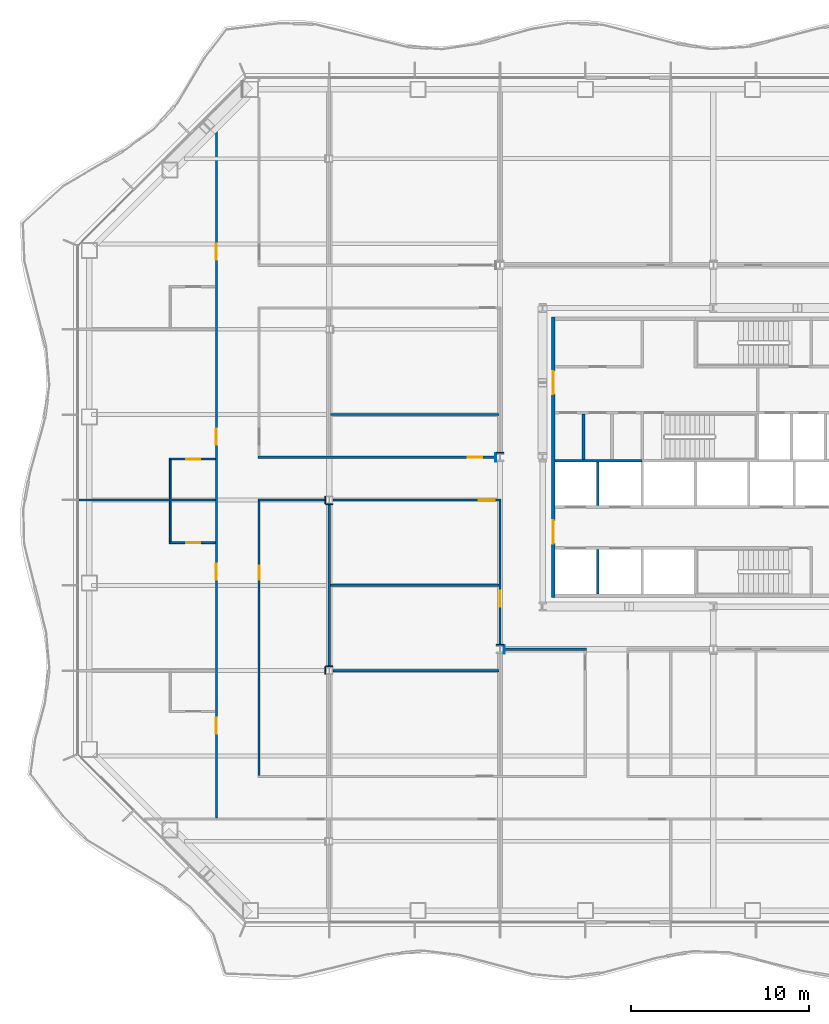
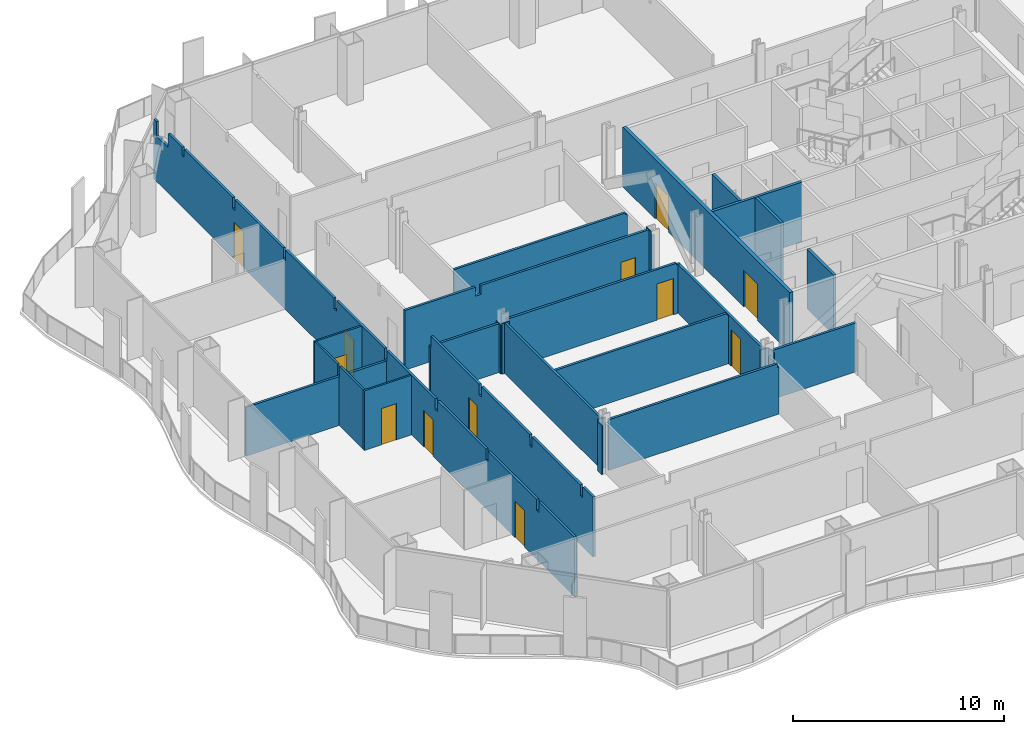
# One storey, part 7 of 18: 29 walls, 12 doors, 12 openings.
"""IFC4 building model written with IfcOpenShell, lengths in metres."""

import ifcopenshell
import ifcopenshell.guid

model = None  # the IFC model being written
_history = None  # IfcOwnerHistory: only IFC2X3 demands one
_inside = {}  # id of a spatial element -> (the spatial element, [elements in it])
_under = {}  # id of a project, library or spatial element -> (it, [spatial elements below it])
_declared = {}  # id of a project -> (the project, [libraries it declares])
_typed = {}  # id of a type object -> (the type object, [elements of that type])
_made_of = {}  # id of a material, layer set ... -> (it, [elements and type objects made of it])


def new_model(schema):
    """Start an empty IFC model of exactly this schema.

    Asked for "IFC4X3", IfcOpenShell would pick the latest addendum, in which some entities
    have other attributes; the version numbers below select the first issue.
    IFC2X3 requires an IfcOwnerHistory on every rooted entity: one is made here for all.
    """
    global model, _history
    if schema == "IFC4X3":
        model = ifcopenshell.file(schema_version=(4, 3, 0, 0))
    else:
        model = ifcopenshell.file(schema=schema)
    _inside.clear()
    _under.clear()
    _declared.clear()
    _typed.clear()
    _made_of.clear()
    _history = None
    if model.schema == "IFC2X3":
        org = make("IfcOrganization", Name="unknown")
        user = make(
            "IfcPersonAndOrganization",
            ThePerson=make("IfcPerson", FamilyName="unknown"),
            TheOrganization=org,
        )
        app = make(
            "IfcApplication",
            ApplicationDeveloper=org,
            Version="unknown",
            ApplicationFullName="unknown",
            ApplicationIdentifier="unknown",
        )
        _history = make(
            "IfcOwnerHistory",
            OwningUser=user,
            OwningApplication=app,
            ChangeAction="ADDED",
            CreationDate=0,
        )
    return model


def make(cls, **values):
    """One entity of the class cls with the attributes given. An attribute that is None is left unset."""
    return model.create_entity(
        cls, **{name: value for name, value in values.items() if value is not None}
    )


def rooted(cls, **values):
    """An entity with a GlobalId (a new one), such as an element, a storey or a relation."""
    return make(cls, GlobalId=ifcopenshell.guid.new(), OwnerHistory=_history, **values)


def si_unit(unit_type, name, prefix=None):
    """IfcSIUnit, for example si_unit("LENGTHUNIT", "METRE", prefix="MILLI")."""
    return make("IfcSIUnit", UnitType=unit_type, Prefix=prefix, Name=name)


def assignment(units):
    """IfcUnitAssignment: the units of a project."""
    return None if units is None else make("IfcUnitAssignment", Units=units)


def point(xyz):
    """IfcCartesianPoint."""
    return None if xyz is None else make("IfcCartesianPoint", Coordinates=xyz)


def direction(xyz):
    """IfcDirection."""
    return None if xyz is None else make("IfcDirection", DirectionRatios=xyz)


def frame(location, z_axis=None, x_axis=None):
    """IfcAxis2Placement3D, a coordinate frame: its origin and axes. An axis left out is left unset."""
    return make(
        "IfcAxis2Placement3D",
        Location=point(location),
        Axis=direction(z_axis),
        RefDirection=direction(x_axis),
    )


def frame_2d(location, x_axis=None):
    """IfcAxis2Placement2D, a coordinate frame in the plane: its origin and x axis."""
    return make(
        "IfcAxis2Placement2D", Location=point(location), RefDirection=direction(x_axis)
    )


def origin():
    """The frame at (0, 0, 0) with its axes left unset."""
    return frame((0.0, 0.0, 0.0))


def place(relative_to, where):
    """IfcLocalPlacement: puts the frame where relative to a parent placement (None: the world)."""
    return make(
        "IfcLocalPlacement", PlacementRelTo=relative_to, RelativePlacement=where
    )


def context(
    kind, dimensions, precision=None, world=None, true_north=None, identifier=None
):
    """IfcGeometricRepresentationContext, for example the 3D "Model" context."""
    return make(
        "IfcGeometricRepresentationContext",
        ContextIdentifier=identifier,
        ContextType=kind,
        CoordinateSpaceDimension=dimensions,
        Precision=precision,
        WorldCoordinateSystem=world,
        TrueNorth=true_north,
    )


def subcontext(parent, identifier, kind, view, scale=None):
    """IfcGeometricRepresentationSubContext, for example "Body" below "Model"."""
    return make(
        "IfcGeometricRepresentationSubContext",
        ContextIdentifier=identifier,
        ContextType=kind,
        ParentContext=parent,
        TargetScale=scale,
        TargetView=view,
    )


def project(units=None, contexts=None):
    """IfcProject with its units and contexts."""
    return rooted(
        "IfcProject",
        Name="project",
        RepresentationContexts=contexts,
        UnitsInContext=assignment(units),
    )


def spatial(cls, under=None, at=None, **own):
    """A site, building, storey or space (cls), placed at a placement, below another one or the project."""
    s = rooted(cls, ObjectPlacement=at, **own)
    if under is not None:
        _under.setdefault(under.id(), (under, []))[1].append(s)
    return s


def polyline(points):
    """IfcPolyline through the points."""
    return make("IfcPolyline", Points=[point(p) for p in points])


def profile(cls, at=None, kind="AREA", **sizes):
    """A parametric profile (cls). Its sizes go by their IFC names, for example OverallWidth=200.0."""
    return make(cls, ProfileType=kind, Position=at, **sizes)


def rectangle(**sizes):
    """IfcRectangleProfileDef."""
    return profile("IfcRectangleProfileDef", **sizes)


def outline(outer, holes=None, kind="AREA"):
    """IfcArbitraryClosedProfileDef: a profile drawn as a closed curve; with holes, ...WithVoids."""
    if holes is None:
        return make("IfcArbitraryClosedProfileDef", ProfileType=kind, OuterCurve=outer)
    return make(
        "IfcArbitraryProfileDefWithVoids",
        ProfileType=kind,
        OuterCurve=outer,
        InnerCurves=holes,
    )


def extrude(swept, where, along, depth):
    """IfcExtrudedAreaSolid: the profile swept, set in the frame where, extruded along a direction by depth."""
    return make(
        "IfcExtrudedAreaSolid",
        SweptArea=swept,
        Position=where,
        ExtrudedDirection=direction(along),
        Depth=depth,
    )


def shape(context_of_items, identifier, shape_type, items):
    """IfcShapeRepresentation: the items that make up one representation, for example the "Body"."""
    return make(
        "IfcShapeRepresentation",
        ContextOfItems=context_of_items,
        RepresentationIdentifier=identifier,
        RepresentationType=shape_type,
        Items=items,
    )


def material(Name=None, Category=None):
    """IfcMaterial."""
    return make("IfcMaterial", Name=Name, Category=Category)


def layer(
    of_material, thickness, ventilated=None, Name=None, Category=None, Priority=None
):
    """IfcMaterialLayer: one layer of a wall or slab, of a material (None: an air gap)."""
    return make(
        "IfcMaterialLayer",
        Material=of_material,
        LayerThickness=thickness,
        IsVentilated=ventilated,
        Name=Name,
        Category=Category,
        Priority=Priority,
    )


def layer_set(layers, Name=None):
    """IfcMaterialLayerSet."""
    return make("IfcMaterialLayerSet", MaterialLayers=layers, LayerSetName=Name)


def made_of(thing, what):
    """Note that an element or type object is made of a material, layer set ...; save() writes the relation."""
    if what is not None:
        _made_of.setdefault(what.id(), (what, []))[1].append(thing)
    return thing


def type_object(cls, material=None, **own):
    """A type object (cls), such as IfcWallType, which elements share."""
    return made_of(rooted(cls, **own), material)


def element(
    cls,
    number,
    at=None,
    inside=None,
    cuts=None,
    type_object=None,
    material=None,
    context=None,
    identifier="Body",
    shape_type=None,
    held_by="IfcProductDefinitionShape",
    body=None,
    shapes=None,
    **own,
):
    """One element of the class cls, such as IfcWall. Its Tag is "e" and its number.

    at: its placement. inside: the storey or other place that contains it. cuts: it is an
    opening in that element (IfcRelVoidsElement). A single representation is given by context,
    identifier, shape_type and body (its items); several are given by shapes. held_by: the class
    of the entity that holds the representations. save() writes the other relations.
    """
    e = rooted(cls, Tag="e%d" % number, ObjectPlacement=at, **own)
    if body is not None:
        shapes = [shape(context, identifier, shape_type, body)]
    if shapes is not None:
        e.Representation = make(held_by, Representations=shapes)
    if inside is not None:
        _inside.setdefault(inside.id(), (inside, []))[1].append(e)
    if cuts is not None:
        rooted(
            "IfcRelVoidsElement", RelatingBuildingElement=cuts, RelatedOpeningElement=e
        )
    if type_object is not None:
        _typed.setdefault(type_object.id(), (type_object, []))[1].append(e)
    return made_of(e, material)


def fill(opening, filler):
    """IfcRelFillsElement: the door or window that sits in an opening."""
    return rooted(
        "IfcRelFillsElement",
        RelatingOpeningElement=opening,
        RelatedBuildingElement=filler,
    )


def aggregate(whole, parts):
    """IfcRelAggregates: a whole, such as a stair, and the parts it consists of."""
    return rooted("IfcRelAggregates", RelatingObject=whole, RelatedObjects=parts)


def save(model, path):
    """Write the relations noted so far, then the file.

    IfcRelAggregates (storeys below a building ...), IfcRelContainedInSpatialStructure (elements
    in a storey), IfcRelDefinesByType, IfcRelAssociatesMaterial and IfcRelDeclares: one each for
    every whole, place, type object, material and project.
    """
    for whole, parts in _under.values():
        aggregate(whole, parts)
    for where, things in _inside.values():
        rooted(
            "IfcRelContainedInSpatialStructure",
            RelatedElements=things,
            RelatingStructure=where,
        )
    for kind, things in _typed.values():
        rooted("IfcRelDefinesByType", RelatedObjects=things, RelatingType=kind)
    for what, things in _made_of.values():
        rooted("IfcRelAssociatesMaterial", RelatedObjects=things, RelatingMaterial=what)
    for by, libraries in _declared.values():
        rooted("IfcRelDeclares", RelatingContext=by, RelatedDefinitions=libraries)
    model.write(path)


model = new_model("IFC4")

# Units and contexts
model_context = context("Model", 3, precision=1e-05, world=origin(), true_north=direction((0.0, 1.0)))
body_context = subcontext(model_context, "Body", "Model", "MODEL_VIEW")
ifc_project = project(units=[si_unit("LENGTHUNIT", "METRE"), si_unit("AREAUNIT", "SQUARE_METRE"), si_unit("VOLUMEUNIT", "CUBIC_METRE"), si_unit("PLANEANGLEUNIT", "RADIAN"), si_unit("MASSUNIT", "GRAM", prefix="KILO")], contexts=[model_context])

# Site, building, storey
site_placement = place(None, origin())
site = spatial("IfcSite", under=ifc_project, at=site_placement, CompositionType="ELEMENT")
building_placement = place(site_placement, origin())
building = spatial("IfcBuilding", under=site, at=building_placement, Name="Cairn Pilgrim Tower", CompositionType="ELEMENT")
storey_placement = place(building_placement, frame((0.0, 0.0, 76.199951171875)))
storey = spatial("IfcBuildingStorey", under=building, at=storey_placement, Name="L17", CompositionType="ELEMENT", Elevation=76.199951171875)

# Wall, openings, doors
ifc_material_1 = material(Name="Concrete C32/40", Category="concrete")
ifc_layer_1 = layer(ifc_material_1, 0.199951171875)
ifc_layer_set_1 = layer_set([ifc_layer_1], Name="CORE OUTER WALL 200 EI 120")
wall_type_1 = type_object("IfcWallType", Name="CORE OUTER WALL 200 EI 120", PredefinedType="SOLIDWALL", material=ifc_layer_set_1)
wall_1_placement = place(storey_placement, frame((-1.800048828125, -5.5, 0.0), z_axis=(0.0, 0.0, 1.0), x_axis=(0.0, 1.0, 0.0)))
wall_1 = element("IfcWall", 1, at=wall_1_placement, inside=storey, type_object=wall_type_1, Name="CW:L17:V12", PredefinedType="SOLIDWALL", context=body_context, shape_type="SweptSolid", body=[
    extrude(rectangle(XDim=15.800048828125, YDim=0.199951171875, at=frame_2d((7.89990234375, 0.0))), origin(), (0.0, 0.0, 1.0), 3.449951171875),
])
opening_1_placement = place(wall_1_placement, frame((3.050048828125, 0.0, 0.0)))
opening_1 = element("IfcOpeningElement", 2, at=opening_1_placement, cuts=wall_1, Name="Opening CD-W1", PredefinedType="OPENING", context=body_context, shape_type="SweptSolid", body=[
    extrude(rectangle(XDim=1.300048828125, YDim=2.10009765625, at=frame_2d((0.64990234375, 1.050048828125))), frame((0.0, 0.10986328125, 0.0), z_axis=(0.0, -1.0, 0.0), x_axis=(1.0, 0.0, 0.0)), (0.0, 0.0, 1.0), 0.219970703125),
])
opening_2_placement = place(wall_1_placement, frame((11.449951171875, 0.0, 0.0)))
opening_2 = element("IfcOpeningElement", 3, at=opening_2_placement, cuts=wall_1, Name="Opening CD-W2", PredefinedType="OPENING", context=body_context, shape_type="SweptSolid", body=[
    extrude(rectangle(XDim=1.300048828125, YDim=2.10009765625, at=frame_2d((0.64990234375, 1.050048828125))), frame((0.0, 0.10986328125, 0.0), z_axis=(0.0, -1.0, 0.0), x_axis=(1.0, 0.0, 0.0)), (0.0, 0.0, 1.0), 0.219970703125),
])
ifc_material_2 = material(Name="Painted steel", Category="steel")
door_type_1 = type_object("IfcDoorType", Name="CORE LOBBY DOOR 1300x2100", OperationType="DOUBLE_DOOR_SINGLE_SWING", PredefinedType="DOOR", material=ifc_material_2)
door_1_placement = place(opening_1_placement, origin())
door_1 = element("IfcDoor", 4, at=door_1_placement, inside=storey, type_object=door_type_1, Name="CD-W1", OperationType="DOUBLE_DOOR_SINGLE_SWING", OverallHeight=2.10009765625, OverallWidth=1.300048828125, PredefinedType="DOOR", context=body_context, shape_type="SweptSolid", body=[
    extrude(rectangle(XDim=1.300048828125, YDim=2.10009765625, at=frame_2d((0.64990234375, 1.050048828125))), frame((0.0, 0.02490234375, 0.0), z_axis=(0.0, -1.0, 0.0), x_axis=(1.0, 0.0, 0.0)), (0.0, 0.0, 1.0), 0.050048828125),
])
fill(opening_1, door_1)
door_2_placement = place(opening_2_placement, origin())
door_2 = element("IfcDoor", 5, at=door_2_placement, inside=storey, type_object=door_type_1, Name="CD-W2", OperationType="DOUBLE_DOOR_SINGLE_SWING", OverallHeight=2.10009765625, OverallWidth=1.300048828125, PredefinedType="DOOR", context=body_context, shape_type="SweptSolid", body=[
    extrude(rectangle(XDim=1.300048828125, YDim=2.10009765625, at=frame_2d((0.64990234375, 1.050048828125))), frame((0.0, 0.02490234375, 0.0), z_axis=(0.0, -1.0, 0.0), x_axis=(1.0, 0.0, 0.0)), (0.0, 0.0, 1.0), 0.050048828125),
])
fill(opening_2, door_2)

# Walls
ifc_layer_2 = layer(ifc_material_1, 0.14990234375)
ifc_layer_set_2 = layer_set([ifc_layer_2], Name="CORE PARTITION 150 EI 60")
wall_type_2 = type_object("IfcWallType", Name="CORE PARTITION 150 EI 60", PredefinedType="PARTITIONING", material=ifc_layer_set_2)
wall_2_placement = place(storey_placement, frame((-0.10009765625, 2.27490234375, 0.0), z_axis=(0.0, 0.0, 1.0), x_axis=(0.0, 1.0, 0.0)))
element("IfcWall", 6, at=wall_2_placement, inside=storey, type_object=wall_type_2, Name="CW:L17:V13", PredefinedType="PARTITIONING", context=body_context, shape_type="SweptSolid", body=[
    extrude(rectangle(XDim=2.550048828125, YDim=0.14990234375, at=frame_2d((1.27490234375, 0.0))), origin(), (0.0, 0.0, 1.0), 3.449951171875),
])
ifc_layer_3 = layer(ifc_material_1, 0.14990234375)
ifc_layer_set_3 = layer_set([ifc_layer_3], Name="CORE SHAFT WALL 150 EI 120")
wall_type_3 = type_object("IfcWallType", Name="CORE SHAFT WALL 150 EI 120", PredefinedType="SOLIDWALL", material=ifc_layer_set_3)
wall_3_placement = place(storey_placement, frame((-1.699951171875, 2.199951171875, 0.0), z_axis=(0.0, 0.0, 1.0), x_axis=(1.0, 0.0, 0.0)))
element("IfcWall", 7, at=wall_3_placement, inside=storey, type_object=wall_type_3, Name="CW:L17:H05-1", PredefinedType="SOLIDWALL", context=body_context, shape_type="SweptSolid", body=[
    extrude(rectangle(XDim=4.89990234375, YDim=0.14990234375, at=frame_2d((2.449951171875, 0.0))), origin(), (0.0, 0.0, 1.0), 3.449951171875),
])
wall_4_placement = place(storey_placement, frame((0.699951171875, -5.300048828125, 0.0), z_axis=(0.0, 0.0, 1.0), x_axis=(0.0, 1.0, 0.0)))
element("IfcWall", 8, at=wall_4_placement, inside=storey, type_object=wall_type_3, Name="CW:L17:V14", PredefinedType="SOLIDWALL", context=body_context, shape_type="SweptSolid", body=[
    extrude(rectangle(XDim=2.525146484375, YDim=0.14990234375, at=frame_2d((1.2626953125, 0.0))), origin(), (0.0, 0.0, 1.0), 3.449951171875),
])
wall_5_placement = place(storey_placement, frame((0.699951171875, -0.324951171875, 0.0), z_axis=(0.0, 0.0, 1.0), x_axis=(0.0, 1.0, 0.0)))
element("IfcWall", 9, at=wall_5_placement, inside=storey, type_object=wall_type_3, Name="CW:L17:V15", PredefinedType="SOLIDWALL", context=body_context, shape_type="SweptSolid", body=[
    extrude(rectangle(XDim=2.449951171875, YDim=0.14990234375, at=frame_2d((1.22509765625, 0.0))), origin(), (0.0, 0.0, 1.0), 3.449951171875),
])

# Wall, opening, door
ifc_material_3 = material(Name="Gypsum partition")
ifc_layer_4 = layer(ifc_material_3, 0.10009765625)
ifc_layer_set_4 = layer_set([ifc_layer_4], Name="PARTITION 100 DRYWALL")
wall_type_4 = type_object("IfcWallType", Name="PARTITION 100 DRYWALL", PredefinedType="PARTITIONING", material=ifc_layer_set_4)
wall_6_placement = place(storey_placement, frame((-23.39990234375, -2.39990234375, 0.0), z_axis=(0.0, 0.0, 1.0), x_axis=(1.0, 0.0, 0.0)))
wall_6 = element("IfcWall", 10, at=wall_6_placement, inside=storey, type_object=wall_type_4, Name="PARTITION W035", PredefinedType="PARTITIONING", context=body_context, shape_type="SweptSolid", body=[
    extrude(rectangle(XDim=2.58740234375, YDim=0.10009765625, at=frame_2d((1.293701171875, 0.0))), origin(), (0.0, 0.0, 1.0), 3.449951171875),
])
opening_3_placement = place(wall_6_placement, frame((0.949951171875, 0.0, 0.0)))
opening_3 = element("IfcOpeningElement", 11, at=opening_3_placement, cuts=wall_6, Name="Opening 1707E", PredefinedType="OPENING", context=body_context, shape_type="SweptSolid", body=[
    extrude(rectangle(XDim=0.800048828125, YDim=2.10009765625, at=frame_2d((0.39990234375, 1.050048828125))), frame((0.0, 0.06005859375, 0.0), z_axis=(0.0, -1.0, 0.0), x_axis=(1.0, 0.0, 0.0)), (0.0, 0.0, 1.0), 0.1201171875),
])
ifc_material_4 = material(Name="Timber door leaf", Category="wood")
door_type_2 = type_object("IfcDoorType", Name="DOOR 800x2100", OperationType="NOTDEFINED", PredefinedType="DOOR", material=ifc_material_4)
door_3_placement = place(opening_3_placement, origin())
door_3 = element("IfcDoor", 12, at=door_3_placement, inside=storey, type_object=door_type_2, Name="DOOR 1707E", OperationType="SINGLE_SWING_RIGHT", OverallHeight=2.10009765625, OverallWidth=0.800048828125, PredefinedType="DOOR", context=body_context, shape_type="SweptSolid", body=[
    extrude(rectangle(XDim=0.800048828125, YDim=2.10009765625, at=frame_2d((0.39990234375, 1.050048828125))), frame((0.0, 0.02490234375, 0.0), z_axis=(0.0, -1.0, 0.0), x_axis=(1.0, 0.0, 0.0)), (0.0, 0.0, 1.0), 0.050048828125),
])
fill(opening_3, door_3)

# Walls
wall_7_placement = place(storey_placement, frame((-23.35009765625, -2.35009765625, 0.0), z_axis=(0.0, 0.0, 1.0), x_axis=(0.0, 1.0, 0.0)))
element("IfcWall", 13, at=wall_7_placement, inside=storey, type_object=wall_type_4, Name="PARTITION W036", PredefinedType="PARTITIONING", context=body_context, shape_type="SweptSolid", body=[
    extrude(outline(polyline([(0.0, 0.0), (2.28759765625, 0.0), (2.28759765625, 2.830078125), (2.239990234375, 2.830078125), (2.238037109375, 3.449951171875), (0.0, 3.449951171875), (0.0, 0.0)])), frame((0.0, 0.050048828125, 0.0), z_axis=(0.0, -1.0, 0.0), x_axis=(1.0, 0.0, 0.0)), (0.0, 0.0, 1.0), 0.10009765625),
])
wall_8_placement = place(storey_placement, frame((-23.35009765625, 0.0625, 0.0), z_axis=(0.0, 0.0, 1.0), x_axis=(0.0, 1.0, 0.0)))
element("IfcWall", 14, at=wall_8_placement, inside=storey, type_object=wall_type_4, Name="PARTITION W040", PredefinedType="PARTITIONING", context=body_context, shape_type="SweptSolid", body=[
    extrude(outline(polyline([(0.0, 0.0), (2.1875, 0.0), (2.1875, 3.449951171875), (0.047607421875, 3.449951171875), (0.04541015625, 2.830078125), (0.0, 2.830078125), (0.0, 0.0)])), frame((0.0, 0.050048828125, 0.0), z_axis=(0.0, -1.0, 0.0), x_axis=(1.0, 0.0, 0.0)), (0.0, 0.0, 1.0), 0.10009765625),
])

# Wall, opening, door
wall_9_placement = place(storey_placement, frame((-23.39990234375, 2.300048828125, 0.0), z_axis=(0.0, 0.0, 1.0), x_axis=(1.0, 0.0, 0.0)))
wall_9 = element("IfcWall", 15, at=wall_9_placement, inside=storey, type_object=wall_type_4, Name="PARTITION W041", PredefinedType="PARTITIONING", context=body_context, shape_type="SweptSolid", body=[
    extrude(rectangle(XDim=2.58740234375, YDim=0.10009765625, at=frame_2d((1.293701171875, 0.0))), origin(), (0.0, 0.0, 1.0), 3.449951171875),
])
opening_4_placement = place(wall_9_placement, frame((0.949951171875, 0.0, 0.0)))
opening_4 = element("IfcOpeningElement", 16, at=opening_4_placement, cuts=wall_9, Name="Opening 1708E", PredefinedType="OPENING", context=body_context, shape_type="SweptSolid", body=[
    extrude(rectangle(XDim=0.800048828125, YDim=2.10009765625, at=frame_2d((0.39990234375, 1.050048828125))), frame((0.0, 0.06005859375, 0.0), z_axis=(0.0, -1.0, 0.0), x_axis=(1.0, 0.0, 0.0)), (0.0, 0.0, 1.0), 0.1201171875),
])
door_4_placement = place(opening_4_placement, frame((0.800048828125, 0.0, 0.0), z_axis=(0.0, 0.0, 1.0), x_axis=(-1.0, 0.0, 0.0)))
door_4 = element("IfcDoor", 17, at=door_4_placement, inside=storey, type_object=door_type_2, Name="DOOR 1708E", OperationType="SINGLE_SWING_RIGHT", OverallHeight=2.10009765625, OverallWidth=0.800048828125, PredefinedType="DOOR", context=body_context, shape_type="SweptSolid", body=[
    extrude(rectangle(XDim=0.800048828125, YDim=2.10009765625, at=frame_2d((0.39990234375, 1.050048828125))), frame((0.0, 0.02490234375, 0.0), z_axis=(0.0, -1.0, 0.0), x_axis=(1.0, 0.0, 0.0)), (0.0, 0.0, 1.0), 0.050048828125),
])
fill(opening_4, door_4)

# Wall, openings, doors
ifc_layer_5 = layer(ifc_material_3, 0.125)
ifc_layer_set_5 = layer_set([ifc_layer_5], Name="PARTITION 125 DRYWALL EI 60")
wall_type_5 = type_object("IfcWallType", Name="PARTITION 125 DRYWALL EI 60", PredefinedType="PARTITIONING", material=ifc_layer_set_5)
wall_10_placement = place(storey_placement, frame((-20.75, -17.887451171875, 0.0), z_axis=(0.0, 0.0, 1.0), x_axis=(0.0, 1.0, 0.0)))
wall_10 = element("IfcWall", 18, at=wall_10_placement, inside=storey, type_object=wall_type_5, Name="PARTITION W009", PredefinedType="PARTITIONING", context=body_context, shape_type="SweptSolid", body=[
    extrude(outline(polyline([(0.0, 0.0), (39.8759765625, 0.0), (39.876220703125, 3.449951171875), (39.622314453125, 3.449951171875), (39.6201171875, 2.630126953125), (38.507080078125, 2.630126953125), (38.505126953125, 3.449951171875), (37.1826171875, 3.449951171875), (37.180419921875, 2.97998046875), (36.992431640625, 2.97998046875), (36.990478515625, 3.449951171875), (32.3974609375, 3.449951171875), (32.3955078125, 2.830078125), (32.177490234375, 2.830078125), (32.175537109375, 3.449951171875), (27.597412109375, 3.449951171875), (27.595458984375, 2.830078125), (27.37744140625, 2.830078125), (27.37548828125, 3.449951171875), (22.797607421875, 3.449951171875), (22.79541015625, 2.830078125), (22.577392578125, 2.830078125), (22.575439453125, 3.449951171875), (17.99755859375, 3.449951171875), (17.99560546875, 2.830078125), (17.777587890625, 2.830078125), (17.775390625, 3.449951171875), (13.197509765625, 3.449951171875), (13.195556640625, 2.830078125), (12.9775390625, 2.830078125), (12.9755859375, 3.449951171875), (8.3974609375, 3.449951171875), (8.3955078125, 2.830078125), (8.177490234375, 2.830078125), (8.175537109375, 3.449951171875), (3.597412109375, 3.449951171875), (3.595458984375, 2.830078125), (3.37744140625, 2.830078125), (3.37548828125, 3.449951171875), (0.0, 3.449951171875), (0.0, 0.0)])), frame((0.0, 0.0625, 0.0), z_axis=(0.0, -1.0, 0.0), x_axis=(1.0, 0.0, 0.0)), (0.0, 0.0, 1.0), 0.125),
])
opening_5_placement = place(wall_10_placement, frame((4.737548828125, 0.0, 0.0)))
opening_5 = element("IfcOpeningElement", 19, at=opening_5_placement, cuts=wall_10, Name="Opening 1706", PredefinedType="OPENING", context=body_context, shape_type="SweptSolid", body=[
    extrude(rectangle(XDim=0.89990234375, YDim=2.10009765625, at=frame_2d((0.449951171875, 1.050048828125))), frame((0.0, 0.072509765625, 0.0), z_axis=(0.0, -1.0, 0.0), x_axis=(1.0, 0.0, 0.0)), (0.0, 0.0, 1.0), 0.14501953125),
])
opening_6_placement = place(wall_10_placement, frame((13.387451171875, 0.0, 0.0)))
opening_6 = element("IfcOpeningElement", 20, at=opening_6_placement, cuts=wall_10, Name="Opening 1707", PredefinedType="OPENING", context=body_context, shape_type="SweptSolid", body=[
    extrude(rectangle(XDim=0.89990234375, YDim=2.10009765625, at=frame_2d((0.449951171875, 1.050048828125))), frame((0.0, 0.072509765625, 0.0), z_axis=(0.0, -1.0, 0.0), x_axis=(1.0, 0.0, 0.0)), (0.0, 0.0, 1.0), 0.14501953125),
])
opening_7_placement = place(wall_10_placement, frame((20.987548828125, 0.0, 0.0)))
opening_7 = element("IfcOpeningElement", 21, at=opening_7_placement, cuts=wall_10, Name="Opening 1708", PredefinedType="OPENING", context=body_context, shape_type="SweptSolid", body=[
    extrude(rectangle(XDim=0.89990234375, YDim=2.10009765625, at=frame_2d((0.449951171875, 1.050048828125))), frame((0.0, 0.072509765625, 0.0), z_axis=(0.0, -1.0, 0.0), x_axis=(1.0, 0.0, 0.0)), (0.0, 0.0, 1.0), 0.14501953125),
])
opening_8_placement = place(wall_10_placement, frame((31.387451171875, 0.0, 0.0)))
opening_8 = element("IfcOpeningElement", 22, at=opening_8_placement, cuts=wall_10, Name="Opening 1709", PredefinedType="OPENING", context=body_context, shape_type="SweptSolid", body=[
    extrude(rectangle(XDim=0.89990234375, YDim=2.10009765625, at=frame_2d((0.449951171875, 1.050048828125))), frame((0.0, 0.072509765625, 0.0), z_axis=(0.0, -1.0, 0.0), x_axis=(1.0, 0.0, 0.0)), (0.0, 0.0, 1.0), 0.14501953125),
])
ifc_material_5 = material(Name="Steel-faced fire door leaf", Category="steel")
door_type_3 = type_object("IfcDoorType", Name="FIRE DOOR 900x2100 FD30S", OperationType="NOTDEFINED", PredefinedType="DOOR", material=ifc_material_5)
door_5_placement = place(opening_5_placement, origin())
door_5 = element("IfcDoor", 23, at=door_5_placement, inside=storey, type_object=door_type_3, Name="DOOR 1706", OperationType="SINGLE_SWING_LEFT", OverallHeight=2.10009765625, OverallWidth=0.89990234375, PredefinedType="DOOR", context=body_context, shape_type="SweptSolid", body=[
    extrude(rectangle(XDim=0.89990234375, YDim=2.10009765625, at=frame_2d((0.449951171875, 1.050048828125))), frame((0.0, 0.02490234375, 0.0), z_axis=(0.0, -1.0, 0.0), x_axis=(1.0, 0.0, 0.0)), (0.0, 0.0, 1.0), 0.050048828125),
])
fill(opening_5, door_5)
door_6_placement = place(opening_6_placement, origin())
door_6 = element("IfcDoor", 24, at=door_6_placement, inside=storey, type_object=door_type_3, Name="DOOR 1707", OperationType="SINGLE_SWING_LEFT", OverallHeight=2.10009765625, OverallWidth=0.89990234375, PredefinedType="DOOR", context=body_context, shape_type="SweptSolid", body=[
    extrude(rectangle(XDim=0.89990234375, YDim=2.10009765625, at=frame_2d((0.449951171875, 1.050048828125))), frame((0.0, 0.02490234375, 0.0), z_axis=(0.0, -1.0, 0.0), x_axis=(1.0, 0.0, 0.0)), (0.0, 0.0, 1.0), 0.050048828125),
])
fill(opening_6, door_6)
door_7_placement = place(opening_7_placement, origin())
door_7 = element("IfcDoor", 25, at=door_7_placement, inside=storey, type_object=door_type_3, Name="DOOR 1708", OperationType="SINGLE_SWING_LEFT", OverallHeight=2.10009765625, OverallWidth=0.89990234375, PredefinedType="DOOR", context=body_context, shape_type="SweptSolid", body=[
    extrude(rectangle(XDim=0.89990234375, YDim=2.10009765625, at=frame_2d((0.449951171875, 1.050048828125))), frame((0.0, 0.02490234375, 0.0), z_axis=(0.0, -1.0, 0.0), x_axis=(1.0, 0.0, 0.0)), (0.0, 0.0, 1.0), 0.050048828125),
])
fill(opening_7, door_7)
door_8_placement = place(opening_8_placement, origin())
door_8 = element("IfcDoor", 26, at=door_8_placement, inside=storey, type_object=door_type_3, Name="DOOR 1709", OperationType="SINGLE_SWING_LEFT", OverallHeight=2.10009765625, OverallWidth=0.89990234375, PredefinedType="DOOR", context=body_context, shape_type="SweptSolid", body=[
    extrude(rectangle(XDim=0.89990234375, YDim=2.10009765625, at=frame_2d((0.449951171875, 1.050048828125))), frame((0.0, 0.02490234375, 0.0), z_axis=(0.0, -1.0, 0.0), x_axis=(1.0, 0.0, 0.0)), (0.0, 0.0, 1.0), 0.050048828125),
])
fill(opening_8, door_8)

# Wall, opening, door
wall_11_placement = place(storey_placement, frame((-18.35009765625, -15.487548828125, 0.0), z_axis=(0.0, 0.0, 1.0), x_axis=(0.0, 1.0, 0.0)))
wall_11 = element("IfcWall", 27, at=wall_11_placement, inside=storey, type_object=wall_type_5, Name="PARTITION W013", PredefinedType="PARTITIONING", context=body_context, shape_type="SweptSolid", body=[
    extrude(outline(polyline([(0.0, 0.0), (15.425048828125, 0.0), (15.425048828125, 2.830078125), (15.37744140625, 2.830078125), (15.37548828125, 3.449951171875), (10.797607421875, 3.449951171875), (10.79541015625, 2.830078125), (10.577392578125, 2.830078125), (10.575439453125, 3.449951171875), (5.99755859375, 3.449951171875), (5.99560546875, 2.830078125), (5.777587890625, 2.830078125), (5.775390625, 3.449951171875), (1.197509765625, 3.449951171875), (1.195556640625, 2.830078125), (0.9775390625, 2.830078125), (0.9755859375, 3.449951171875), (0.0, 3.449951171875), (0.0, 0.0)])), frame((0.0, 0.0625, 0.0), z_axis=(0.0, -1.0, 0.0), x_axis=(1.0, 0.0, 0.0)), (0.0, 0.0, 1.0), 0.125),
])
opening_9_placement = place(wall_11_placement, frame((10.987548828125, 0.0, 0.0)))
opening_9 = element("IfcOpeningElement", 28, at=opening_9_placement, cuts=wall_11, Name="Opening 1722", PredefinedType="OPENING", context=body_context, shape_type="SweptSolid", body=[
    extrude(rectangle(XDim=0.800048828125, YDim=2.10009765625, at=frame_2d((0.39990234375, 1.050048828125))), frame((0.0, 0.072509765625, 0.0), z_axis=(0.0, -1.0, 0.0), x_axis=(1.0, 0.0, 0.0)), (0.0, 0.0, 1.0), 0.14501953125),
])
door_type_4 = type_object("IfcDoorType", Name="FIRE DOOR 800x2100 FD30S", OperationType="NOTDEFINED", PredefinedType="DOOR", material=ifc_material_5)
door_9_placement = place(opening_9_placement, frame((0.800048828125, 0.0, 0.0), z_axis=(0.0, 0.0, 1.0), x_axis=(-1.0, 0.0, 0.0)))
door_9 = element("IfcDoor", 29, at=door_9_placement, inside=storey, type_object=door_type_4, Name="DOOR 1722", OperationType="SINGLE_SWING_LEFT", OverallHeight=2.10009765625, OverallWidth=0.800048828125, PredefinedType="DOOR", context=body_context, shape_type="SweptSolid", body=[
    extrude(rectangle(XDim=0.800048828125, YDim=2.10009765625, at=frame_2d((0.39990234375, 1.050048828125))), frame((0.0, 0.02490234375, 0.0), z_axis=(0.0, -1.0, 0.0), x_axis=(1.0, 0.0, 0.0)), (0.0, 0.0, 1.0), 0.050048828125),
])
fill(opening_9, door_9)

# Walls
wall_12_placement = place(storey_placement, frame((-14.195556640625, -9.60009765625, 0.0), z_axis=(0.0, 0.0, 1.0), x_axis=(1.0, 0.0, 0.0)))
element("IfcWall", 30, at=wall_12_placement, inside=storey, type_object=wall_type_5, Name="PARTITION W025", PredefinedType="PARTITIONING", context=body_context, shape_type="SweptSolid", body=[
    extrude(outline(polyline([(0.0, 0.0), (9.3330078125, 0.0), (9.3330078125, 2.72998046875), (9.24560546875, 2.72998046875), (9.243408203125, 2.929931640625), (0.0, 2.929931640625), (0.0, 0.0)])), frame((0.0, 0.0625, 0.0), z_axis=(0.0, -1.0, 0.0), x_axis=(1.0, 0.0, 0.0)), (0.0, 0.0, 1.0), 0.125),
])
wall_13_placement = place(storey_placement, frame((-14.39990234375, -9.387451171875, 0.0), z_axis=(0.0, 0.0, 1.0), x_axis=(0.0, 1.0, 0.0)))
element("IfcWall", 31, at=wall_13_placement, inside=storey, type_object=wall_type_5, Name="PARTITION W026", PredefinedType="PARTITIONING", context=body_context, shape_type="SweptSolid", body=[
    extrude(rectangle(XDim=9.175048828125, YDim=0.125, at=frame_2d((4.58740234375, 0.0))), origin(), (0.0, 0.0, 1.0), 2.929931640625),
])
wall_14_placement = place(storey_placement, frame((-4.587890625, -8.39990234375, 0.0), z_axis=(0.0, 0.0, 1.0), x_axis=(1.0, 0.0, 0.0)))
element("IfcWall", 32, at=wall_14_placement, inside=storey, type_object=wall_type_5, Name="PARTITION W027", PredefinedType="PARTITIONING", context=body_context, shape_type="SweptSolid", body=[
    extrude(rectangle(XDim=4.650390625, YDim=0.125, at=frame_2d((2.3251953125, 0.0))), origin(), (0.0, 0.0, 1.0), 2.830078125),
])

# Wall, opening, door
wall_15_placement = place(storey_placement, frame((-4.800048828125, -8.1630859375, 0.0), z_axis=(0.0, 0.0, 1.0), x_axis=(0.0, 1.0, 0.0)))
wall_15 = element("IfcWall", 33, at=wall_15_placement, inside=storey, type_object=wall_type_5, Name="PARTITION W030", PredefinedType="PARTITIONING", context=body_context, shape_type="SweptSolid", body=[
    extrude(rectangle(XDim=8.1005859375, YDim=0.125, at=frame_2d((4.05029296875, 0.0))), origin(), (0.0, 0.0, 1.0), 2.830078125),
])
opening_10_placement = place(wall_15_placement, frame((2.1630859375, 0.0, 0.0)))
opening_10 = element("IfcOpeningElement", 34, at=opening_10_placement, cuts=wall_15, Name="Opening 1718", PredefinedType="OPENING", context=body_context, shape_type="SweptSolid", body=[
    extrude(rectangle(XDim=0.89990234375, YDim=2.10009765625, at=frame_2d((0.449951171875, 1.050048828125))), frame((0.0, 0.072509765625, 0.0), z_axis=(0.0, -1.0, 0.0), x_axis=(1.0, 0.0, 0.0)), (0.0, 0.0, 1.0), 0.14501953125),
])
door_10_placement = place(opening_10_placement, origin())
door_10 = element("IfcDoor", 35, at=door_10_placement, inside=storey, type_object=door_type_3, Name="DOOR 1718", OperationType="SINGLE_SWING_LEFT", OverallHeight=2.10009765625, OverallWidth=0.89990234375, PredefinedType="DOOR", context=body_context, shape_type="SweptSolid", body=[
    extrude(rectangle(XDim=0.89990234375, YDim=2.10009765625, at=frame_2d((0.449951171875, 1.050048828125))), frame((0.0, 0.02490234375, 0.0), z_axis=(0.0, -1.0, 0.0), x_axis=(1.0, 0.0, 0.0)), (0.0, 0.0, 1.0), 0.050048828125),
])
fill(opening_10, door_10)

# Walls
wall_16_placement = place(storey_placement, frame((-14.33740234375, -4.800048828125, 0.0), z_axis=(0.0, 0.0, 1.0), x_axis=(1.0, 0.0, 0.0)))
element("IfcWall", 36, at=wall_16_placement, inside=storey, type_object=wall_type_5, Name="PARTITION W032", PredefinedType="PARTITIONING", context=body_context, shape_type="SweptSolid", body=[
    extrude(outline(polyline([(0.0, 0.0), (9.474853515625, 0.0), (9.47509765625, 2.830078125), (9.387451171875, 2.830078125), (9.385498046875, 2.929931640625), (0.0, 2.929931640625), (0.0, 0.0)])), frame((0.0, 0.0625, 0.0), z_axis=(0.0, -1.0, 0.0), x_axis=(1.0, 0.0, 0.0)), (0.0, 0.0, 1.0), 0.125),
])
wall_17_placement = place(storey_placement, frame((-28.489990234375, 0.0, 0.0), z_axis=(0.0, 0.0, 1.0), x_axis=(1.0, 0.0, 0.0)))
element("IfcWall", 37, at=wall_17_placement, inside=storey, type_object=wall_type_5, Name="PARTITION W037", PredefinedType="PARTITIONING", context=body_context, shape_type="SweptSolid", body=[
    extrude(rectangle(XDim=7.677490234375, YDim=0.125, at=frame_2d((3.8388671875, 0.0))), origin(), (0.0, 0.0, 1.0), 2.830078125),
])
wall_18_placement = place(storey_placement, frame((-18.41259765625, 0.0, 0.0), z_axis=(0.0, 0.0, 1.0), x_axis=(1.0, 0.0, 0.0)))
element("IfcWall", 38, at=wall_18_placement, inside=storey, type_object=wall_type_5, Name="PARTITION W038", PredefinedType="PARTITIONING", context=body_context, shape_type="SweptSolid", body=[
    extrude(rectangle(XDim=3.80810546875, YDim=0.125, at=frame_2d((1.904052734375, 0.0))), origin(), (0.0, 0.0, 1.0), 2.830078125),
])

# Wall, opening, door
wall_19_placement = place(storey_placement, frame((-14.195556640625, 0.0, 0.0), z_axis=(0.0, 0.0, 1.0), x_axis=(1.0, 0.0, 0.0)))
wall_19 = element("IfcWall", 39, at=wall_19_placement, inside=storey, type_object=wall_type_5, Name="PARTITION W039", PredefinedType="PARTITIONING", context=body_context, shape_type="SweptSolid", body=[
    extrude(outline(polyline([(0.0, 0.0), (9.4580078125, 0.0), (9.4580078125, 2.830078125), (9.24560546875, 2.830078125), (9.243408203125, 2.929931640625), (0.0, 2.929931640625), (0.0, 0.0)])), frame((0.0, 0.0625, 0.0), z_axis=(0.0, -1.0, 0.0), x_axis=(1.0, 0.0, 0.0)), (0.0, 0.0, 1.0), 0.125),
])
opening_11_placement = place(wall_19_placement, frame((8.195556640625, 0.0, 0.0)))
opening_11 = element("IfcOpeningElement", 40, at=opening_11_placement, cuts=wall_19, Name="Opening 1719", PredefinedType="OPENING", context=body_context, shape_type="SweptSolid", body=[
    extrude(rectangle(XDim=0.89990234375, YDim=2.10009765625, at=frame_2d((0.449951171875, 1.050048828125))), frame((0.0, 0.072509765625, 0.0), z_axis=(0.0, -1.0, 0.0), x_axis=(1.0, 0.0, 0.0)), (0.0, 0.0, 1.0), 0.14501953125),
])
door_11_placement = place(opening_11_placement, frame((0.89990234375, 0.0, 0.0), z_axis=(0.0, 0.0, 1.0), x_axis=(-1.0, 0.0, 0.0)))
door_11 = element("IfcDoor", 41, at=door_11_placement, inside=storey, type_object=door_type_3, Name="DOOR 1719", OperationType="SINGLE_SWING_RIGHT", OverallHeight=2.10009765625, OverallWidth=0.89990234375, PredefinedType="DOOR", context=body_context, shape_type="SweptSolid", body=[
    extrude(rectangle(XDim=0.89990234375, YDim=2.10009765625, at=frame_2d((0.449951171875, 1.050048828125))), frame((0.0, 0.02490234375, 0.0), z_axis=(0.0, -1.0, 0.0), x_axis=(1.0, 0.0, 0.0)), (0.0, 0.0, 1.0), 0.050048828125),
])
fill(opening_11, door_11)

wall_20_placement = place(storey_placement, frame((-18.41259765625, 2.39990234375, 0.0), z_axis=(0.0, 0.0, 1.0), x_axis=(1.0, 0.0, 0.0)))
wall_20 = element("IfcWall", 42, at=wall_20_placement, inside=storey, type_object=wall_type_5, Name="PARTITION W042", PredefinedType="PARTITIONING", context=body_context, shape_type="SweptSolid", body=[
    extrude(outline(polyline([(0.0, 0.0), (13.400634765625, 0.0), (13.400390625, 3.449951171875), (4.16259765625, 3.449951171875), (4.160400390625, 2.929931640625), (3.862548828125, 2.929931640625), (3.860595703125, 3.449951171875), (0.0, 3.449951171875), (0.0, 0.0)])), frame((0.0, 0.0625, 0.0), z_axis=(0.0, -1.0, 0.0), x_axis=(1.0, 0.0, 0.0)), (0.0, 0.0, 1.0), 0.125),
])
opening_12_placement = place(wall_20_placement, frame((11.8125, 0.0, 0.0)))
opening_12 = element("IfcOpeningElement", 43, at=opening_12_placement, cuts=wall_20, Name="Opening 1720", PredefinedType="OPENING", context=body_context, shape_type="SweptSolid", body=[
    extrude(rectangle(XDim=0.800048828125, YDim=2.10009765625, at=frame_2d((0.39990234375, 1.050048828125))), frame((0.0, 0.072509765625, 0.0), z_axis=(0.0, -1.0, 0.0), x_axis=(1.0, 0.0, 0.0)), (0.0, 0.0, 1.0), 0.14501953125),
])
door_12_placement = place(opening_12_placement, origin())
door_12 = element("IfcDoor", 44, at=door_12_placement, inside=storey, type_object=door_type_4, Name="DOOR 1720", OperationType="SINGLE_SWING_LEFT", OverallHeight=2.10009765625, OverallWidth=0.800048828125, PredefinedType="DOOR", context=body_context, shape_type="SweptSolid", body=[
    extrude(rectangle(XDim=0.800048828125, YDim=2.10009765625, at=frame_2d((0.39990234375, 1.050048828125))), frame((0.0, 0.02490234375, 0.0), z_axis=(0.0, -1.0, 0.0), x_axis=(1.0, 0.0, 0.0)), (0.0, 0.0, 1.0), 0.050048828125),
])
fill(opening_12, door_12)

# Walls
wall_21_placement = place(storey_placement, frame((-14.33740234375, 4.800048828125, 0.0), z_axis=(0.0, 0.0, 1.0), x_axis=(1.0, 0.0, 0.0)))
element("IfcWall", 45, at=wall_21_placement, inside=storey, type_object=wall_type_5, Name="PARTITION W048", PredefinedType="PARTITIONING", context=body_context, shape_type="SweptSolid", body=[
    extrude(outline(polyline([(0.0, 0.0), (9.474853515625, 0.0), (9.47509765625, 2.830078125), (9.387451171875, 2.830078125), (9.385498046875, 2.929931640625), (0.0, 2.929931640625), (0.0, 0.0)])), frame((0.0, 0.0625, 0.0), z_axis=(0.0, -1.0, 0.0), x_axis=(1.0, 0.0, 0.0)), (0.0, 0.0, 1.0), 0.125),
])
ifc_layer_6 = layer(ifc_material_3, 0.050048828125)
ifc_layer_set_6 = layer_set([ifc_layer_6], Name="PARTITION 50 DRYWALL EI 60")
wall_type_6 = type_object("IfcWallType", Name="PARTITION 50 DRYWALL EI 60", PredefinedType="PARTITIONING", material=ifc_layer_set_6)
wall_22_placement = place(storey_placement, frame((-14.62939453125, -9.8125, 0.0), z_axis=(0.0, 0.0, 1.0), x_axis=(0.0, 1.0, 0.0)))
element("IfcWall", 46, at=wall_22_placement, inside=storey, type_object=wall_type_6, Name="COLUMN CASING WC06", PredefinedType="PARTITIONING", context=body_context, shape_type="SweptSolid", body=[
    extrude(rectangle(XDim=0.425048828125, YDim=0.050048828125, at=frame_2d((0.21240234375, 0.0))), origin(), (0.0, 0.0, 1.0), 2.830078125),
])
wall_23_placement = place(storey_placement, frame((-14.62939453125, -0.21240234375, 0.0), z_axis=(0.0, 0.0, 1.0), x_axis=(0.0, 1.0, 0.0)))
element("IfcWall", 47, at=wall_23_placement, inside=storey, type_object=wall_type_6, Name="COLUMN CASING WC07", PredefinedType="PARTITIONING", context=body_context, shape_type="SweptSolid", body=[
    extrude(rectangle(XDim=0.4248046875, YDim=0.050048828125, at=frame_2d((0.21240234375, 0.0))), origin(), (0.0, 0.0, 1.0), 2.830078125),
])
wall_24_placement = place(storey_placement, frame((-4.56298828125, -8.636962890625, 0.0), z_axis=(0.0, 0.0, 1.0), x_axis=(0.0, 1.0, 0.0)))
element("IfcWall", 48, at=wall_24_placement, inside=storey, type_object=wall_type_6, Name="COLUMN CASING WC08", PredefinedType="PARTITIONING", context=body_context, shape_type="SweptSolid", body=[
    extrude(rectangle(XDim=0.473876953125, YDim=0.050048828125, at=frame_2d((0.23681640625, 0.0))), origin(), (0.0, 0.0, 1.0), 2.830078125),
])
wall_25_placement = place(storey_placement, frame((-14.6044921875, -9.362548828125, 0.0), z_axis=(0.0, 0.0, 1.0), x_axis=(1.0, 0.0, 0.0)))
element("IfcWall", 49, at=wall_25_placement, inside=storey, type_object=wall_type_6, Name="COLUMN CASING WC09", PredefinedType="PARTITIONING", context=body_context, shape_type="SweptSolid", body=[
    extrude(rectangle(XDim=0.408935546875, YDim=0.050048828125, at=frame_2d((0.20458984375, 0.0))), origin(), (0.0, 0.0, 1.0), 2.929931640625),
])
wall_26_placement = place(storey_placement, frame((-5.011962890625, -8.137939453125, 0.0), z_axis=(0.0, 0.0, 1.0), x_axis=(1.0, 0.0, 0.0)))
element("IfcWall", 50, at=wall_26_placement, inside=storey, type_object=wall_type_6, Name="COLUMN CASING WC10", PredefinedType="PARTITIONING", context=body_context, shape_type="SweptSolid", body=[
    extrude(rectangle(XDim=0.424072265625, YDim=0.050048828125, at=frame_2d((0.2119140625, 0.0))), origin(), (0.0, 0.0, 1.0), 2.830078125),
])
wall_27_placement = place(storey_placement, frame((-14.6044921875, -0.237548828125, 0.0), z_axis=(0.0, 0.0, 1.0), x_axis=(1.0, 0.0, 0.0)))
element("IfcWall", 51, at=wall_27_placement, inside=storey, type_object=wall_type_6, Name="COLUMN CASING WC14", PredefinedType="PARTITIONING", context=body_context, shape_type="SweptSolid", body=[
    extrude(rectangle(XDim=0.408935546875, YDim=0.050048828125, at=frame_2d((0.20458984375, 0.0))), origin(), (0.0, 0.0, 1.0), 2.929931640625),
])
wall_28_placement = place(storey_placement, frame((-5.011962890625, 2.662109375, 0.0), z_axis=(0.0, 0.0, 1.0), x_axis=(1.0, 0.0, 0.0)))
element("IfcWall", 52, at=wall_28_placement, inside=storey, type_object=wall_type_6, Name="COLUMN CASING WC15", PredefinedType="PARTITIONING", context=body_context, shape_type="SweptSolid", body=[
    extrude(rectangle(XDim=0.424072265625, YDim=0.050048828125, at=frame_2d((0.2119140625, 0.0))), origin(), (0.0, 0.0, 1.0), 2.830078125),
])
wall_29_placement = place(storey_placement, frame((-5.037109375, 2.1630859375, 0.0), z_axis=(0.0, 0.0, 1.0), x_axis=(0.0, 1.0, 0.0)))
element("IfcWall", 53, at=wall_29_placement, inside=storey, type_object=wall_type_6, Name="COLUMN CASING WC17", PredefinedType="PARTITIONING", context=body_context, shape_type="SweptSolid", body=[
    extrude(rectangle(XDim=0.473876953125, YDim=0.050048828125, at=frame_2d((0.23681640625, 0.0))), origin(), (0.0, 0.0, 1.0), 3.449951171875),
])

save(model, "model.ifc")
